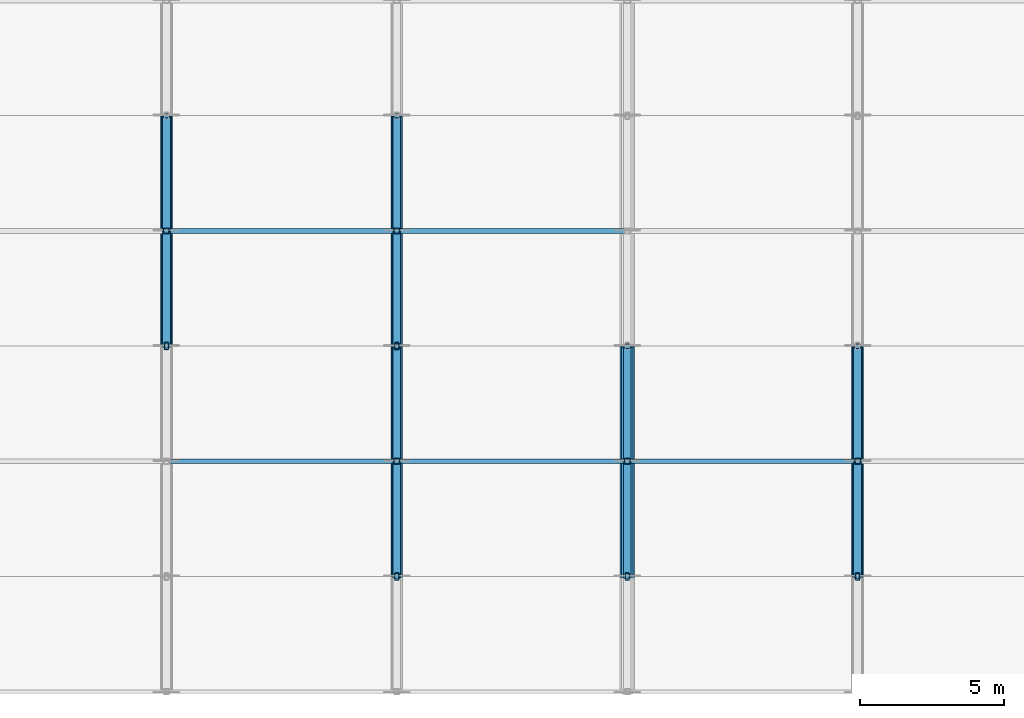
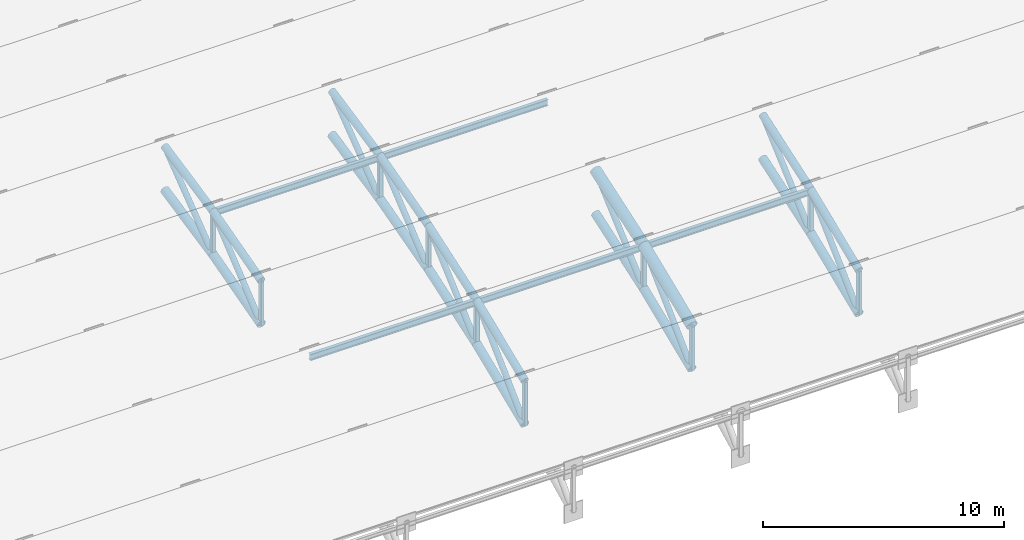
# One storey, part 11 of 98: 45 members.
"""IFC4 building model written with IfcOpenShell, lengths in metres."""

from ifc_helpers import new_model, si_unit, direction, frame, origin, origin_2d, place, context, subcontext, project, spatial, hollow_rectangle, hollow_circle, i_section, extrude, material, material_profile, profile_set, type_object, element, save


model = new_model("IFC4")

# Units and contexts
model_context = context("Model", 3, precision=1e-05, world=origin(), true_north=direction((0.0, 1.0)))
body_context = subcontext(model_context, "Body", "Model", "MODEL_VIEW")
ifc_project = project(units=[si_unit("LENGTHUNIT", "METRE"), si_unit("AREAUNIT", "SQUARE_METRE"), si_unit("VOLUMEUNIT", "CUBIC_METRE"), si_unit("PLANEANGLEUNIT", "RADIAN"), si_unit("MASSUNIT", "GRAM", prefix="KILO")], contexts=[model_context])

# Site, building, storey
site_placement = place(None, origin())
site = spatial("IfcSite", under=ifc_project, at=site_placement, CompositionType="ELEMENT")
building_placement = place(site_placement, origin())
building = spatial("IfcBuilding", under=site, at=building_placement, Name="Tlacozan Convention Centre", CompositionType="ELEMENT")
storey_placement = place(building_placement, frame((0.0, 0.0, 25.800048828125)))
storey = spatial("IfcBuildingStorey", under=building, at=storey_placement, Name="Roof", CompositionType="ELEMENT", Elevation=25.800048828125)

# Members
ifc_material_1 = material(Name="Steel ASTM A500 Grade C", Category="steel")
ifc_material_profile_1 = material_profile(ifc_material_1, hollow_circle(Radius=0.203125, WallThickness=0.015869140625, at=origin_2d()), Name="OC 406.4x15.9")
ifc_profile_set_1 = profile_set([ifc_material_profile_1], Name="Steel ASTM A500 Grade C")
member_type_1 = type_object("IfcMemberType", Name="Arch Bottom Chord OC 406.4x15.9", PredefinedType="CHORD", material=ifc_profile_set_1)
member_1_placement = place(storey_placement, frame((32.0, 74.0, -7.807861328125), z_axis=(0.0, 0.964289609145, 0.26485005134), x_axis=(-1.0, 0.0, 0.0)))
element("IfcMember", 1, at=member_1_placement, inside=storey, type_object=member_type_1, Name="V2A Roof Truss 5 Bottom Chord 4", PredefinedType="CHORD", context=body_context, shape_type="SweptSolid", body=[
    extrude(hollow_circle(Radius=0.203125, WallThickness=0.015869140625, at=origin_2d()), origin(), (0.0, 0.0, 1.0), 4.148193359375),
])
member_2_placement = place(storey_placement, frame((32.0, 78.0, -6.709228515625), z_axis=(0.0, 0.978552953366, 0.205995430674), x_axis=(-1.0, 0.0, 0.0)))
element("IfcMember", 2, at=member_2_placement, inside=storey, type_object=member_type_1, Name="V2A Roof Truss 5 Bottom Chord 5", PredefinedType="CHORD", context=body_context, shape_type="SweptSolid", body=[
    extrude(hollow_circle(Radius=0.203125, WallThickness=0.015869140625, at=origin_2d()), origin(), (0.0, 0.0, 1.0), 4.087646484375),
])
member_3_placement = place(storey_placement, frame((40.0, 66.0, -10.832275390625), z_axis=(0.0, 0.923948802258, 0.382516157575), x_axis=(-1.0, 0.0, 0.0)))
element("IfcMember", 3, at=member_3_placement, inside=storey, type_object=member_type_1, Name="V2A Roof Truss 6 Bottom Chord 2", PredefinedType="CHORD", context=body_context, shape_type="SweptSolid", body=[
    extrude(hollow_circle(Radius=0.203125, WallThickness=0.015869140625, at=origin_2d()), origin(), (0.0, 0.0, 1.0), 4.329345703125),
])
member_4_placement = place(storey_placement, frame((40.0, 70.0, -9.17626953125), z_axis=(0.0, 0.946164915813, 0.323684958077), x_axis=(-1.0, 0.0, 0.0)))
element("IfcMember", 4, at=member_4_placement, inside=storey, type_object=member_type_1, Name="V2A Roof Truss 6 Bottom Chord 3", PredefinedType="CHORD", context=body_context, shape_type="SweptSolid", body=[
    extrude(hollow_circle(Radius=0.203125, WallThickness=0.015869140625, at=origin_2d()), origin(), (0.0, 0.0, 1.0), 4.2275390625),
])
member_5_placement = place(storey_placement, frame((40.0, 74.0, -7.807861328125), z_axis=(0.0, 0.964289609145, 0.26485005134), x_axis=(-1.0, 0.0, 0.0)))
element("IfcMember", 5, at=member_5_placement, inside=storey, type_object=member_type_1, Name="V2A Roof Truss 6 Bottom Chord 4", PredefinedType="CHORD", context=body_context, shape_type="SweptSolid", body=[
    extrude(hollow_circle(Radius=0.203125, WallThickness=0.015869140625, at=origin_2d()), origin(), (0.0, 0.0, 1.0), 4.148193359375),
])
member_6_placement = place(storey_placement, frame((40.0, 78.0, -6.709228515625), z_axis=(0.0, 0.978552953366, 0.205995430674), x_axis=(-1.0, 0.0, 0.0)))
element("IfcMember", 6, at=member_6_placement, inside=storey, type_object=member_type_1, Name="V2A Roof Truss 6 Bottom Chord 5", PredefinedType="CHORD", context=body_context, shape_type="SweptSolid", body=[
    extrude(hollow_circle(Radius=0.203125, WallThickness=0.015869140625, at=origin_2d()), origin(), (0.0, 0.0, 1.0), 4.087646484375),
])
member_7_placement = place(storey_placement, frame((48.0, 66.0, -10.832275390625), z_axis=(0.0, 0.923948802258, 0.382516157575), x_axis=(-1.0, 0.0, 0.0)))
element("IfcMember", 7, at=member_7_placement, inside=storey, type_object=member_type_1, Name="V2A Roof Truss 7 Bottom Chord 2", PredefinedType="CHORD", context=body_context, shape_type="SweptSolid", body=[
    extrude(hollow_circle(Radius=0.203125, WallThickness=0.015869140625, at=origin_2d()), origin(), (0.0, 0.0, 1.0), 4.329345703125),
])
member_8_placement = place(storey_placement, frame((48.0, 70.0, -9.17626953125), z_axis=(0.0, 0.946164915813, 0.323684958077), x_axis=(-1.0, 0.0, 0.0)))
element("IfcMember", 8, at=member_8_placement, inside=storey, type_object=member_type_1, Name="V2A Roof Truss 7 Bottom Chord 3", PredefinedType="CHORD", context=body_context, shape_type="SweptSolid", body=[
    extrude(hollow_circle(Radius=0.203125, WallThickness=0.015869140625, at=origin_2d()), origin(), (0.0, 0.0, 1.0), 4.2275390625),
])
member_9_placement = place(storey_placement, frame((56.0, 66.0, -10.832275390625), z_axis=(0.0, 0.923948802258, 0.382516157575), x_axis=(-1.0, 0.0, 0.0)))
element("IfcMember", 9, at=member_9_placement, inside=storey, type_object=member_type_1, Name="V2A Roof Truss 8 Bottom Chord 2", PredefinedType="CHORD", context=body_context, shape_type="SweptSolid", body=[
    extrude(hollow_circle(Radius=0.203125, WallThickness=0.015869140625, at=origin_2d()), origin(), (0.0, 0.0, 1.0), 4.329345703125),
])
member_10_placement = place(storey_placement, frame((56.0, 70.0, -9.17626953125), z_axis=(0.0, 0.946164915813, 0.323684958077), x_axis=(-1.0, 0.0, 0.0)))
element("IfcMember", 10, at=member_10_placement, inside=storey, type_object=member_type_1, Name="V2A Roof Truss 8 Bottom Chord 3", PredefinedType="CHORD", context=body_context, shape_type="SweptSolid", body=[
    extrude(hollow_circle(Radius=0.203125, WallThickness=0.015869140625, at=origin_2d()), origin(), (0.0, 0.0, 1.0), 4.2275390625),
])
ifc_material_profile_2 = material_profile(ifc_material_1, hollow_circle(Radius=0.25390625, WallThickness=0.01904296875, at=origin_2d()), Name="OC 508.0x19.1")
ifc_profile_set_2 = profile_set([ifc_material_profile_2], Name="Steel ASTM A500 Grade C")
member_type_2 = type_object("IfcMemberType", Name="Arch Top Chord OC 508x19.1", PredefinedType="CHORD", material=ifc_profile_set_2)
member_11_placement = place(storey_placement, frame((48.0, 66.0, -8.63232421875), z_axis=(0.0, 0.923928870591, 0.382564297979), x_axis=(-1.0, 0.0, 0.0)))
element("IfcMember", 11, at=member_11_placement, inside=storey, type_object=member_type_2, Name="V2A Roof Truss 7 Top Chord 2", PredefinedType="CHORD", context=body_context, shape_type="SweptSolid", body=[
    extrude(hollow_circle(Radius=0.25390625, WallThickness=0.01904296875, at=origin_2d()), origin(), (0.0, 0.0, 1.0), 4.329345703125),
])
member_12_placement = place(storey_placement, frame((48.0, 70.0, -6.97607421875), z_axis=(0.0, 0.946164915813, 0.323684958077), x_axis=(-1.0, 0.0, 0.0)))
element("IfcMember", 12, at=member_12_placement, inside=storey, type_object=member_type_2, Name="V2A Roof Truss 7 Top Chord 3", PredefinedType="CHORD", context=body_context, shape_type="SweptSolid", body=[
    extrude(hollow_circle(Radius=0.25390625, WallThickness=0.01904296875, at=origin_2d()), origin(), (0.0, 0.0, 1.0), 4.2275390625),
])
ifc_material_profile_3 = material_profile(ifc_material_1, hollow_circle(Radius=0.136474609375, WallThickness=0.0126953125, at=origin_2d()), Name="OC 273.1x12.7")
ifc_profile_set_3 = profile_set([ifc_material_profile_3], Name="Steel ASTM A500 Grade C")
member_type_3 = type_object("IfcMemberType", Name="Arch Web Diagonal OC 273.1x12.7", PredefinedType="BRACE", material=ifc_profile_set_3)
member_13_placement = place(storey_placement, frame((32.0, 74.0, -7.807861328125), z_axis=(0.0, 0.771507331308, 0.63622043172), x_axis=(-1.0, 0.0, 0.0)))
element("IfcMember", 13, at=member_13_placement, inside=storey, type_object=member_type_3, Name="V2A Roof Truss 5 Web Diagonal 4", PredefinedType="BRACE", context=body_context, shape_type="SweptSolid", body=[
    extrude(hollow_circle(Radius=0.136474609375, WallThickness=0.0126953125, at=origin_2d()), origin(), (0.0, 0.0, 1.0), 5.1845703125),
])
member_14_placement = place(storey_placement, frame((32.0, 78.0, -6.709228515625), z_axis=(0.0, 0.795971176065, 0.605334524766), x_axis=(-1.0, 0.0, 0.0)))
element("IfcMember", 14, at=member_14_placement, inside=storey, type_object=member_type_3, Name="V2A Roof Truss 5 Web Diagonal 5", PredefinedType="BRACE", context=body_context, shape_type="SweptSolid", body=[
    extrude(hollow_circle(Radius=0.136474609375, WallThickness=0.0126953125, at=origin_2d()), origin(), (0.0, 0.0, 1.0), 5.025390625),
])
member_15_placement = place(storey_placement, frame((40.0, 66.0, -10.832275390625), z_axis=(0.0, 0.719928977367, 0.694047741547), x_axis=(-1.0, 0.0, 0.0)))
element("IfcMember", 15, at=member_15_placement, inside=storey, type_object=member_type_3, Name="V2A Roof Truss 6 Web Diagonal 2", PredefinedType="BRACE", context=body_context, shape_type="SweptSolid", body=[
    extrude(hollow_circle(Radius=0.136474609375, WallThickness=0.0126953125, at=origin_2d()), origin(), (0.0, 0.0, 1.0), 5.55615234375),
])
member_16_placement = place(storey_placement, frame((40.0, 70.0, -9.17626953125), z_axis=(0.0, 0.746199427712, 0.665722475272), x_axis=(-1.0, 0.0, 0.0)))
element("IfcMember", 16, at=member_16_placement, inside=storey, type_object=member_type_3, Name="V2A Roof Truss 6 Web Diagonal 3", PredefinedType="BRACE", context=body_context, shape_type="SweptSolid", body=[
    extrude(hollow_circle(Radius=0.136474609375, WallThickness=0.0126953125, at=origin_2d()), origin(), (0.0, 0.0, 1.0), 5.360595703125),
])
member_17_placement = place(storey_placement, frame((40.0, 74.0, -7.807861328125), z_axis=(0.0, 0.771507331308, 0.63622043172), x_axis=(-1.0, 0.0, 0.0)))
element("IfcMember", 17, at=member_17_placement, inside=storey, type_object=member_type_3, Name="V2A Roof Truss 6 Web Diagonal 4", PredefinedType="BRACE", context=body_context, shape_type="SweptSolid", body=[
    extrude(hollow_circle(Radius=0.136474609375, WallThickness=0.0126953125, at=origin_2d()), origin(), (0.0, 0.0, 1.0), 5.1845703125),
])
member_18_placement = place(storey_placement, frame((40.0, 78.0, -6.709228515625), z_axis=(0.0, 0.795971176065, 0.605334524766), x_axis=(-1.0, 0.0, 0.0)))
element("IfcMember", 18, at=member_18_placement, inside=storey, type_object=member_type_3, Name="V2A Roof Truss 6 Web Diagonal 5", PredefinedType="BRACE", context=body_context, shape_type="SweptSolid", body=[
    extrude(hollow_circle(Radius=0.136474609375, WallThickness=0.0126953125, at=origin_2d()), origin(), (0.0, 0.0, 1.0), 5.025390625),
])
member_19_placement = place(storey_placement, frame((48.0, 66.0, -10.832275390625), z_axis=(0.0, 0.719928977367, 0.694047741547), x_axis=(-1.0, 0.0, 0.0)))
element("IfcMember", 19, at=member_19_placement, inside=storey, type_object=member_type_3, Name="V2A Roof Truss 7 Web Diagonal 2", PredefinedType="BRACE", context=body_context, shape_type="SweptSolid", body=[
    extrude(hollow_circle(Radius=0.136474609375, WallThickness=0.0126953125, at=origin_2d()), origin(), (0.0, 0.0, 1.0), 5.55615234375),
])
member_20_placement = place(storey_placement, frame((48.0, 70.0, -9.17626953125), z_axis=(0.0, 0.746199427712, 0.665722475272), x_axis=(-1.0, 0.0, 0.0)))
element("IfcMember", 20, at=member_20_placement, inside=storey, type_object=member_type_3, Name="V2A Roof Truss 7 Web Diagonal 3", PredefinedType="BRACE", context=body_context, shape_type="SweptSolid", body=[
    extrude(hollow_circle(Radius=0.136474609375, WallThickness=0.0126953125, at=origin_2d()), origin(), (0.0, 0.0, 1.0), 5.360595703125),
])
member_21_placement = place(storey_placement, frame((56.0, 66.0, -10.832275390625), z_axis=(0.0, 0.719928977367, 0.694047741547), x_axis=(-1.0, 0.0, 0.0)))
element("IfcMember", 21, at=member_21_placement, inside=storey, type_object=member_type_3, Name="V2A Roof Truss 8 Web Diagonal 2", PredefinedType="BRACE", context=body_context, shape_type="SweptSolid", body=[
    extrude(hollow_circle(Radius=0.136474609375, WallThickness=0.0126953125, at=origin_2d()), origin(), (0.0, 0.0, 1.0), 5.55615234375),
])
member_22_placement = place(storey_placement, frame((56.0, 70.0, -9.17626953125), z_axis=(0.0, 0.746199427712, 0.665722475272), x_axis=(-1.0, 0.0, 0.0)))
element("IfcMember", 22, at=member_22_placement, inside=storey, type_object=member_type_3, Name="V2A Roof Truss 8 Web Diagonal 3", PredefinedType="BRACE", context=body_context, shape_type="SweptSolid", body=[
    extrude(hollow_circle(Radius=0.136474609375, WallThickness=0.0126953125, at=origin_2d()), origin(), (0.0, 0.0, 1.0), 5.360595703125),
])
ifc_material_profile_4 = material_profile(ifc_material_1, hollow_rectangle(XDim=0.203125, YDim=0.203125, WallThickness=0.0126953125, InnerFilletRadius=0.0126953125, OuterFilletRadius=0.02490234375, at=origin_2d()), Name="OR 203x203x12.7")
ifc_profile_set_4 = profile_set([ifc_material_profile_4], Name="Steel ASTM A500 Grade C")
member_type_4 = type_object("IfcMemberType", Name="Arch Web Strut OR 203x203x12.7", PredefinedType="STRUT", material=ifc_profile_set_4)
member_23_placement = place(storey_placement, frame((32.0, 78.0, -6.709228515625), z_axis=(0.0, 0.0, 1.0), x_axis=(1.0, 0.0, 0.0)))
element("IfcMember", 23, at=member_23_placement, inside=storey, type_object=member_type_4, Name="V2A Roof Truss 5 Vertical Strut 5", PredefinedType="STRUT", context=body_context, shape_type="SweptSolid", body=[
    extrude(hollow_rectangle(XDim=0.203125, YDim=0.203125, WallThickness=0.0126953125, InnerFilletRadius=0.0126953125, OuterFilletRadius=0.02490234375, at=origin_2d()), origin(), (0.0, 0.0, 1.0), 2.199951171875),
])
member_24_placement = place(storey_placement, frame((40.0, 70.0, -9.17626953125), z_axis=(0.0, 0.0, 1.0), x_axis=(1.0, 0.0, 0.0)))
element("IfcMember", 24, at=member_24_placement, inside=storey, type_object=member_type_4, Name="V2A Roof Truss 6 Vertical Strut 3", PredefinedType="STRUT", context=body_context, shape_type="SweptSolid", body=[
    extrude(hollow_rectangle(XDim=0.203125, YDim=0.203125, WallThickness=0.0126953125, InnerFilletRadius=0.0126953125, OuterFilletRadius=0.02490234375, at=origin_2d()), origin(), (0.0, 0.0, 1.0), 2.2001953125),
])
member_25_placement = place(storey_placement, frame((40.0, 78.0, -6.709228515625), z_axis=(0.0, 0.0, 1.0), x_axis=(1.0, 0.0, 0.0)))
element("IfcMember", 25, at=member_25_placement, inside=storey, type_object=member_type_4, Name="V2A Roof Truss 6 Vertical Strut 5", PredefinedType="STRUT", context=body_context, shape_type="SweptSolid", body=[
    extrude(hollow_rectangle(XDim=0.203125, YDim=0.203125, WallThickness=0.0126953125, InnerFilletRadius=0.0126953125, OuterFilletRadius=0.02490234375, at=origin_2d()), origin(), (0.0, 0.0, 1.0), 2.199951171875),
])
for number, where, z_axis, x_axis, name in (
    (26, (48.0, 70.0, -9.17626953125), (0.0, 0.0, 1.0), (1.0, 0.0, 0.0), "V2A Roof Truss 7 Vertical Strut 3"),
    (27, (56.0, 70.0, -9.17626953125), (0.0, 0.0, 1.0), (1.0, 0.0, 0.0), "V2A Roof Truss 8 Vertical Strut 3"),
):
    element("IfcMember", number, at=place(storey_placement, frame(where, z_axis=z_axis, x_axis=x_axis)), inside=storey, type_object=member_type_4, Name=name, PredefinedType="STRUT", context=body_context, shape_type="SweptSolid", body=[
        extrude(hollow_rectangle(XDim=0.203125, YDim=0.203125, WallThickness=0.0126953125, InnerFilletRadius=0.0126953125, OuterFilletRadius=0.02490234375, at=origin_2d()), origin(), (0.0, 0.0, 1.0), 2.2001953125),
    ])
ifc_material_2 = material(Name="Steel ASTM A992 Grade 50", Category="steel")
ifc_material_profile_5 = material_profile(ifc_material_2, i_section(OverallWidth=0.1669921875, OverallDepth=0.31689453125, WebThickness=0.007568359375, FlangeThickness=0.01318359375, FilletRadius=0.010009765625, at=origin_2d()), Name="IR 305x52.2")
ifc_profile_set_5 = profile_set([ifc_material_profile_5], Name="Steel ASTM A992 Grade 50")
member_type_5 = type_object("IfcMemberType", Name="Roof Purlin IR 305x52.2", PredefinedType="PURLIN", material=ifc_profile_set_5)
for number, where, z_axis, x_axis, name in (
    (28, (32.0, 70.0, -7.041259765625), (1.0, 0.0, 0.0), (0.0, 1.0, 0.0), "V2A Roof Truss Purlin 5.3"),
    (29, (32.0, 78.0, -4.57421875), (1.0, 0.0, 0.0), (0.0, 1.0, 0.0), "V2A Roof Truss Purlin 5.5"),
    (30, (40.0, 70.0, -7.041259765625), (1.0, 0.0, 0.0), (0.0, 1.0, 0.0), "V2A Roof Truss Purlin 6.3"),
    (31, (40.0, 78.0, -4.57421875), (1.0, 0.0, 0.0), (0.0, 1.0, 0.0), "V2A Roof Truss Purlin 6.5"),
    (32, (48.0, 70.0, -7.041259765625), (1.0, 0.0, 0.0), (0.0, 1.0, 0.0), "V2A Roof Truss Purlin 7.3"),
):
    element("IfcMember", number, at=place(storey_placement, frame(where, z_axis=z_axis, x_axis=x_axis)), inside=storey, type_object=member_type_5, Name=name, PredefinedType="PURLIN", context=body_context, shape_type="SweptSolid", body=[
        extrude(i_section(OverallWidth=0.1669921875, OverallDepth=0.31689453125, WebThickness=0.007568359375, FlangeThickness=0.01318359375, FilletRadius=0.010009765625, at=origin_2d()), origin(), (0.0, 0.0, 1.0), 8.0),
    ])
ifc_material_profile_6 = material_profile(ifc_material_1, hollow_circle(Radius=0.177734375, WallThickness=0.015869140625, at=origin_2d()), Name="OC 355.6x15.9")
ifc_profile_set_6 = profile_set([ifc_material_profile_6], Name="Steel ASTM A500 Grade C")
member_type_6 = type_object("IfcMemberType", Name="Secondary Arch Chord OC 355.6x15.9", PredefinedType="CHORD", material=ifc_profile_set_6)
member_26_placement = place(storey_placement, frame((32.0, 74.0, -5.607666015625), z_axis=(0.0, 0.964304639076, 0.264795322949), x_axis=(-1.0, 0.0, 0.0)))
element("IfcMember", 33, at=member_26_placement, inside=storey, type_object=member_type_6, Name="V2A Roof Truss 5 Top Chord 4", PredefinedType="CHORD", context=body_context, shape_type="SweptSolid", body=[
    extrude(hollow_circle(Radius=0.177734375, WallThickness=0.015869140625, at=origin_2d()), origin(), (0.0, 0.0, 1.0), 4.14794921875),
])
member_27_placement = place(storey_placement, frame((32.0, 78.0, -4.50927734375), z_axis=(0.0, 0.978552953366, 0.205995430674), x_axis=(-1.0, 0.0, 0.0)))
element("IfcMember", 34, at=member_27_placement, inside=storey, type_object=member_type_6, Name="V2A Roof Truss 5 Top Chord 5", PredefinedType="CHORD", context=body_context, shape_type="SweptSolid", body=[
    extrude(hollow_circle(Radius=0.177734375, WallThickness=0.015869140625, at=origin_2d()), origin(), (0.0, 0.0, 1.0), 4.087646484375),
])
member_28_placement = place(storey_placement, frame((40.0, 66.0, -8.63232421875), z_axis=(0.0, 0.923928870591, 0.382564297979), x_axis=(-1.0, 0.0, 0.0)))
element("IfcMember", 35, at=member_28_placement, inside=storey, type_object=member_type_6, Name="V2A Roof Truss 6 Top Chord 2", PredefinedType="CHORD", context=body_context, shape_type="SweptSolid", body=[
    extrude(hollow_circle(Radius=0.177734375, WallThickness=0.015869140625, at=origin_2d()), origin(), (0.0, 0.0, 1.0), 4.329345703125),
])
member_29_placement = place(storey_placement, frame((40.0, 70.0, -6.97607421875), z_axis=(0.0, 0.946164915813, 0.323684958077), x_axis=(-1.0, 0.0, 0.0)))
element("IfcMember", 36, at=member_29_placement, inside=storey, type_object=member_type_6, Name="V2A Roof Truss 6 Top Chord 3", PredefinedType="CHORD", context=body_context, shape_type="SweptSolid", body=[
    extrude(hollow_circle(Radius=0.177734375, WallThickness=0.015869140625, at=origin_2d()), origin(), (0.0, 0.0, 1.0), 4.2275390625),
])
member_30_placement = place(storey_placement, frame((40.0, 74.0, -5.607666015625), z_axis=(0.0, 0.964304639076, 0.264795322949), x_axis=(-1.0, 0.0, 0.0)))
element("IfcMember", 37, at=member_30_placement, inside=storey, type_object=member_type_6, Name="V2A Roof Truss 6 Top Chord 4", PredefinedType="CHORD", context=body_context, shape_type="SweptSolid", body=[
    extrude(hollow_circle(Radius=0.177734375, WallThickness=0.015869140625, at=origin_2d()), origin(), (0.0, 0.0, 1.0), 4.14794921875),
])
member_31_placement = place(storey_placement, frame((40.0, 78.0, -4.50927734375), z_axis=(0.0, 0.978552953366, 0.205995430674), x_axis=(-1.0, 0.0, 0.0)))
element("IfcMember", 38, at=member_31_placement, inside=storey, type_object=member_type_6, Name="V2A Roof Truss 6 Top Chord 5", PredefinedType="CHORD", context=body_context, shape_type="SweptSolid", body=[
    extrude(hollow_circle(Radius=0.177734375, WallThickness=0.015869140625, at=origin_2d()), origin(), (0.0, 0.0, 1.0), 4.087646484375),
])
member_32_placement = place(storey_placement, frame((56.0, 66.0, -8.63232421875), z_axis=(0.0, 0.923928870591, 0.382564297979), x_axis=(-1.0, 0.0, 0.0)))
element("IfcMember", 39, at=member_32_placement, inside=storey, type_object=member_type_6, Name="V2A Roof Truss 8 Top Chord 2", PredefinedType="CHORD", context=body_context, shape_type="SweptSolid", body=[
    extrude(hollow_circle(Radius=0.177734375, WallThickness=0.015869140625, at=origin_2d()), origin(), (0.0, 0.0, 1.0), 4.329345703125),
])
member_33_placement = place(storey_placement, frame((56.0, 70.0, -6.97607421875), z_axis=(0.0, 0.946164915813, 0.323684958077), x_axis=(-1.0, 0.0, 0.0)))
element("IfcMember", 40, at=member_33_placement, inside=storey, type_object=member_type_6, Name="V2A Roof Truss 8 Top Chord 3", PredefinedType="CHORD", context=body_context, shape_type="SweptSolid", body=[
    extrude(hollow_circle(Radius=0.177734375, WallThickness=0.015869140625, at=origin_2d()), origin(), (0.0, 0.0, 1.0), 4.2275390625),
])
ifc_material_profile_7 = material_profile(ifc_material_1, hollow_rectangle(XDim=0.15234375, YDim=0.25390625, WallThickness=0.0126953125, InnerFilletRadius=0.0126953125, OuterFilletRadius=0.02490234375, at=origin_2d()), Name="OR 254x152x12.7")
ifc_profile_set_7 = profile_set([ifc_material_profile_7], Name="Steel ASTM A500 Grade C")
member_type_7 = type_object("IfcMemberType", Name="Truss Secondary Strut OR 254x152x12.7", PredefinedType="STRUT", material=ifc_profile_set_7)
member_34_placement = place(storey_placement, frame((32.0, 74.0, -7.807861328125), z_axis=(0.0, 0.0, 1.0), x_axis=(1.0, 0.0, 0.0)))
element("IfcMember", 41, at=member_34_placement, inside=storey, type_object=member_type_7, Name="V2A Roof Truss 5 Vertical Strut 4", PredefinedType="STRUT", context=body_context, shape_type="SweptSolid", body=[
    extrude(hollow_rectangle(XDim=0.15234375, YDim=0.25390625, WallThickness=0.0126953125, InnerFilletRadius=0.0126953125, OuterFilletRadius=0.02490234375, at=origin_2d()), origin(), (0.0, 0.0, 1.0), 2.2001953125),
])
member_35_placement = place(storey_placement, frame((40.0, 66.0, -10.832275390625), z_axis=(0.0, 0.0, 1.0), x_axis=(1.0, 0.0, 0.0)))
element("IfcMember", 42, at=member_35_placement, inside=storey, type_object=member_type_7, Name="V2A Roof Truss 6 Vertical Strut 2", PredefinedType="STRUT", context=body_context, shape_type="SweptSolid", body=[
    extrude(hollow_rectangle(XDim=0.15234375, YDim=0.25390625, WallThickness=0.0126953125, InnerFilletRadius=0.0126953125, OuterFilletRadius=0.02490234375, at=origin_2d()), origin(), (0.0, 0.0, 1.0), 2.199951171875),
])
member_36_placement = place(storey_placement, frame((40.0, 74.0, -7.807861328125), z_axis=(0.0, 0.0, 1.0), x_axis=(1.0, 0.0, 0.0)))
element("IfcMember", 43, at=member_36_placement, inside=storey, type_object=member_type_7, Name="V2A Roof Truss 6 Vertical Strut 4", PredefinedType="STRUT", context=body_context, shape_type="SweptSolid", body=[
    extrude(hollow_rectangle(XDim=0.15234375, YDim=0.25390625, WallThickness=0.0126953125, InnerFilletRadius=0.0126953125, OuterFilletRadius=0.02490234375, at=origin_2d()), origin(), (0.0, 0.0, 1.0), 2.2001953125),
])
for number, where, z_axis, x_axis, name in (
    (44, (48.0, 66.0, -10.832275390625), (0.0, 0.0, 1.0), (1.0, 0.0, 0.0), "V2A Roof Truss 7 Vertical Strut 2"),
    (45, (56.0, 66.0, -10.832275390625), (0.0, 0.0, 1.0), (1.0, 0.0, 0.0), "V2A Roof Truss 8 Vertical Strut 2"),
):
    element("IfcMember", number, at=place(storey_placement, frame(where, z_axis=z_axis, x_axis=x_axis)), inside=storey, type_object=member_type_7, Name=name, PredefinedType="STRUT", context=body_context, shape_type="SweptSolid", body=[
        extrude(hollow_rectangle(XDim=0.15234375, YDim=0.25390625, WallThickness=0.0126953125, InnerFilletRadius=0.0126953125, OuterFilletRadius=0.02490234375, at=origin_2d()), origin(), (0.0, 0.0, 1.0), 2.199951171875),
    ])

save(model, "model.ifc")
